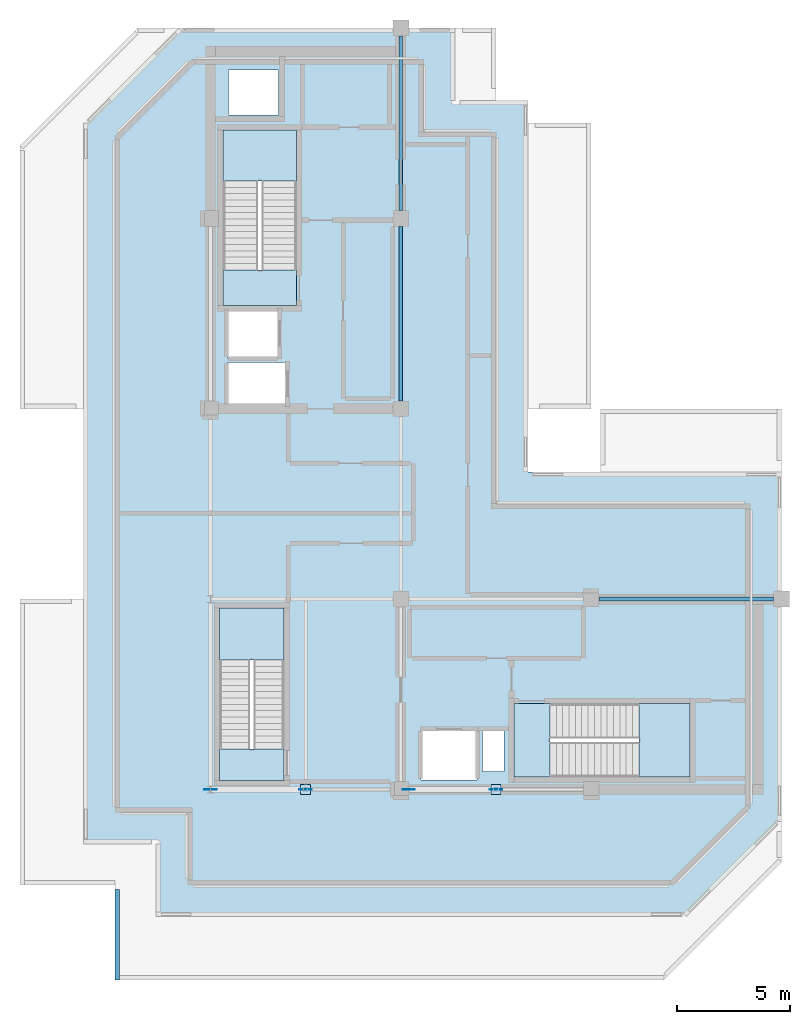
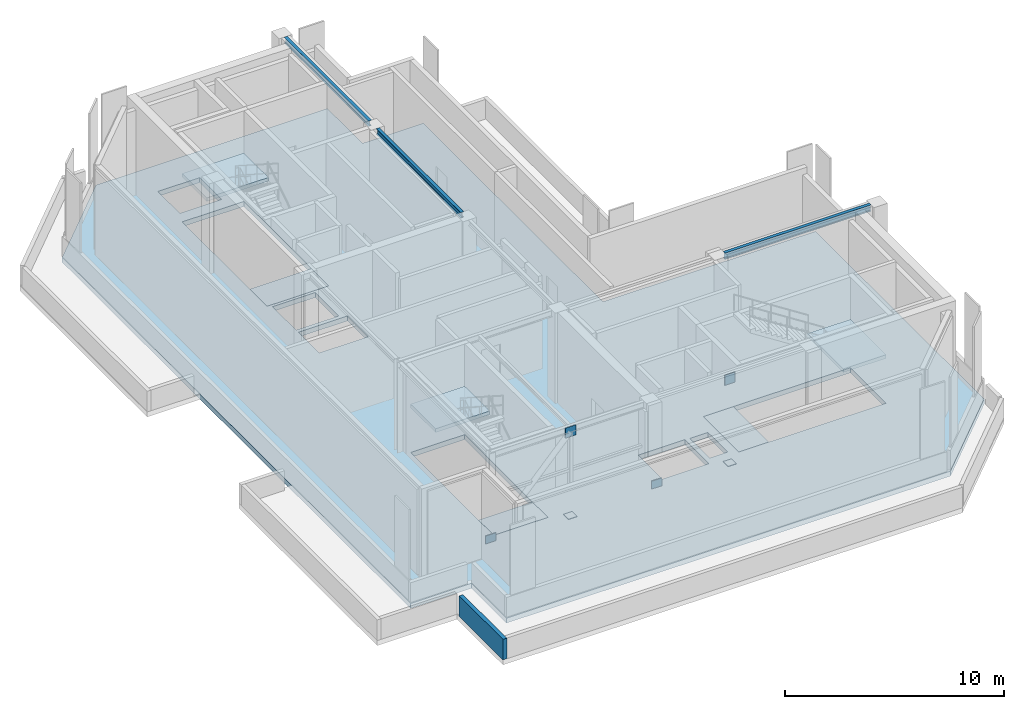
# One storey, part 3 of 9: 7 slabs, 6 plates, 3 beams, 1 wall, 3 elements without a shape of their own.
"""IFC4 building model written with IfcOpenShell, lengths in metres."""

from ifc_helpers import new_model, si_unit, direction, frame, frame_2d, origin, origin_2d, place, context, subcontext, project, spatial, polyline, rectangle, i_section, outline, extrude, material, layer, layer_set, material_profile, profile_set, type_object, element, aggregate, save


model = new_model("IFC4")

# Units and contexts
model_context = context("Model", 3, precision=1e-05, world=origin(), true_north=direction((0.0, 1.0)))
body_context = subcontext(model_context, "Body", "Model", "MODEL_VIEW")
ifc_project = project(units=[si_unit("LENGTHUNIT", "METRE"), si_unit("AREAUNIT", "SQUARE_METRE"), si_unit("VOLUMEUNIT", "CUBIC_METRE"), si_unit("PLANEANGLEUNIT", "RADIAN"), si_unit("MASSUNIT", "GRAM", prefix="KILO")], contexts=[model_context])

# Site, building, storey
site_placement = place(None, origin())
site = spatial("IfcSite", under=ifc_project, at=site_placement, CompositionType="ELEMENT")
building_placement = place(site_placement, origin())
building = spatial("IfcBuilding", under=site, at=building_placement, Name="Nerrivon Quay Data Exchange", CompositionType="ELEMENT")
storey_placement = place(building_placement, frame((0.0, 0.0, 333.0)))
storey = spatial("IfcBuildingStorey", under=building, at=storey_placement, Name="L79", CompositionType="ELEMENT", Elevation=333.0)

# Beams
ifc_material_1 = material(Name="Steel Grade 350", Category="steel")
ifc_material_profile_1 = material_profile(ifc_material_1, i_section(OverallWidth=0.172119140625, OverallDepth=0.35888671875, WebThickness=0.008056640625, FlangeThickness=0.012939453125, FilletRadius=0.011474609375, at=origin_2d()), Name="360UB56.7")
ifc_profile_set_1 = profile_set([ifc_material_profile_1], Name="Steel Grade 350")
beam_type_1 = type_object("IfcBeamType", Name="BM-J3-360UB57", PredefinedType="JOIST", material=ifc_profile_set_1)
beam_placement = place(storey_placement, frame((25.550048828125, 16.800048828125, 4.87060546875), z_axis=(1.0, 0.0, 0.0), x_axis=(0.0, 1.0, 0.0)))
element("IfcBeam", 1, at=beam_placement, inside=storey, type_object=beam_type_1, Name="L79 EW Girder Y=16.8 (25.2..33.6)", PredefinedType="JOIST", context=body_context, shape_type="SweptSolid", body=[
    extrude(i_section(OverallWidth=0.172119140625, OverallDepth=0.35888671875, WebThickness=0.008056640625, FlangeThickness=0.012939453125, FilletRadius=0.011474609375, at=origin_2d()), origin(), (0.0, 0.0, 1.0), 7.699951171875),
])
ifc_material_profile_2 = material_profile(ifc_material_1, i_section(OverallWidth=0.166015625, OverallDepth=0.306884765625, WebThickness=0.006591796875, FlangeThickness=0.01171875, FilletRadius=0.011474609375, at=origin_2d()), Name="310UB46.2")
ifc_profile_set_2 = profile_set([ifc_material_profile_2], Name="Steel Grade 350")
beam_type_2 = type_object("IfcBeamType", Name="BM-J5-310UB46", PredefinedType="JOIST", material=ifc_profile_set_2)
for number, where, z_axis, x_axis, name in (
    (2, (16.800048828125, 25.550048828125, 4.896484375), (0.0, 1.0, 0.0), (-1.0, 0.0, 0.0), "L79 NS Girder X=16.8 (25.2..33.6)"),
    (3, (16.800048828125, 33.949951171875, 4.896484375), (0.0, 1.0, 0.0), (-1.0, 0.0, 0.0), "L79 NS Girder X=16.8 (33.6..42.0)"),
):
    element("IfcBeam", number, at=place(storey_placement, frame(where, z_axis=z_axis, x_axis=x_axis)), inside=storey, type_object=beam_type_2, Name=name, PredefinedType="JOIST", context=body_context, shape_type="SweptSolid", body=[
        extrude(i_section(OverallWidth=0.166015625, OverallDepth=0.306884765625, WebThickness=0.006591796875, FlangeThickness=0.01171875, FilletRadius=0.011474609375, at=origin_2d()), origin(), (0.0, 0.0, 1.0), 7.699951171875),
    ])

# Plates
ifc_layer_1 = layer(ifc_material_1, 0.02490234375)
ifc_layer_set_1 = layer_set([ifc_layer_1], Name="Steel Grade 350")
plate_type_1 = type_object("IfcPlateType", Name="PLT-CAP25", PredefinedType="SHEET", material=ifc_layer_set_1)
for number, where, z_axis, x_axis, name in (
    (4, (12.60009765625, 8.39990234375, 0.0), (0.0, 0.0, 1.0), (1.0, 0.0, 0.0), "L79 Turbine Post Base Plate SL1-1"),
    (5, (21.0, 8.39990234375, 0.0), (0.0, 0.0, 1.0), (1.0, 0.0, 0.0), "L79 Turbine Post Base Plate SL1-2"),
):
    element("IfcPlate", number, at=place(storey_placement, frame(where, z_axis=z_axis, x_axis=x_axis)), inside=storey, type_object=plate_type_1, Name=name, PredefinedType="SHEET", context=body_context, shape_type="SweptSolid", body=[
        extrude(rectangle(XDim=0.449951171875, YDim=0.449951171875, at=origin_2d()), origin(), (0.0, 0.0, 1.0), 0.02490234375),
    ])
ifc_layer_2 = layer(ifc_material_1, 0.028076171875)
ifc_layer_set_2 = layer_set([ifc_layer_2], Name="Steel Grade 350")
plate_type_2 = type_object("IfcPlateType", Name="PLT-TS01", PredefinedType="SHEET", material=ifc_layer_set_2)
for number, where, z_axis, x_axis, name in (
    (6, (8.406005859375, 8.39990234375, -0.115234375), (0.0, 0.0, 1.0), (1.0, 0.0, 0.0), "L79 node plate 102"),
    (7, (12.60009765625, 8.39990234375, 4.42578125), (0.0, 0.0, 1.0), (1.0, 0.0, 0.0), "L79 node plate 103"),
    (8, (17.14990234375, 8.39990234375, -0.115234375), (0.0, 0.0, 1.0), (1.0, 0.0, 0.0), "L79 node plate 104"),
    (9, (21.0, 8.39990234375, 4.42578125), (0.0, 0.0, 1.0), (1.0, 0.0, 0.0), "L79 node plate 105"),
):
    element("IfcPlate", number, at=place(storey_placement, frame(where, z_axis=z_axis, x_axis=x_axis)), inside=storey, type_object=plate_type_2, Name=name, PredefinedType="SHEET", context=body_context, shape_type="SweptSolid", body=[
        extrude(rectangle(XDim=0.550048828125, YDim=0.035888671875, at=origin_2d()), origin(), (0.0, 0.0, 1.0), 0.550048828125),
    ])

# Stair, slab
ifc_material_2 = material(Name="Concrete N50 (50 MPa)", Category="concrete")
stair_type = type_object("IfcStairType", Name="STAIR-DOG-54", PredefinedType="HALF_TURN_STAIR", material=ifc_material_2)
stair_1_placement = place(storey_placement, origin())
stair_1 = element("IfcStair", 10, at=stair_1_placement, inside=storey, type_object=stair_type, Name="L79 West Core Fire Stair ST01", PredefinedType="HALF_TURN_STAIR")
ifc_layer_3 = layer(ifc_material_2, 0.199951171875)
ifc_layer_set_3 = layer_set([ifc_layer_3], Name="Concrete N50 (50 MPa)")
slab_type_1 = type_object("IfcSlabType", Name="SLB-LAND-200", PredefinedType="LANDING", material=ifc_layer_set_3)
slab_1_placement = place(storey_placement, frame((0.0, 0.0, 2.5)))
slab_1 = element("IfcSlab", 11, at=slab_1_placement, type_object=slab_type_1, Name="ST01 landing 1", PredefinedType="LANDING", context=body_context, shape_type="SweptSolid", body=[
    extrude(outline(polyline([(12.199951171875, 35.25), (12.199951171875, 37.5), (8.949951171875, 37.5), (8.949951171875, 35.25), (12.199951171875, 35.25)])), origin(), (0.0, 0.0, 1.0), 0.199951171875),
])
aggregate(stair_1, [slab_1])

# Slab
slab_2_placement = place(storey_placement, frame((0.0, 0.0, -0.199951171875)))
element("IfcSlab", 12, at=slab_2_placement, inside=storey, type_object=slab_type_1, Name="L79 ST01 floor landing", PredefinedType="LANDING", context=body_context, shape_type="SweptSolid", body=[
    extrude(outline(polyline([(12.199951171875, 29.75), (12.199951171875, 31.330078125), (8.949951171875, 31.330078125), (8.949951171875, 29.75), (12.199951171875, 29.75)])), origin(), (0.0, 0.0, 1.0), 0.199951171875),
])

# Stair, slab
stair_2_placement = place(storey_placement, origin())
stair_2 = element("IfcStair", 13, at=stair_2_placement, inside=storey, type_object=stair_type, Name="L79 East Core Fire Stair ST02", PredefinedType="HALF_TURN_STAIR")
slab_3_placement = place(storey_placement, frame((0.0, 0.0, 2.5)))
slab_3 = element("IfcSlab", 14, at=slab_3_placement, type_object=slab_type_1, Name="ST02 landing 1", PredefinedType="LANDING", context=body_context, shape_type="SweptSolid", body=[
    extrude(outline(polyline([(27.300048828125, 8.949951171875), (29.550048828125, 8.949951171875), (29.550048828125, 12.199951171875), (27.300048828125, 12.199951171875), (27.300048828125, 8.949951171875)])), origin(), (0.0, 0.0, 1.0), 0.199951171875),
])
aggregate(stair_2, [slab_3])

# Slab
slab_4_placement = place(storey_placement, frame((0.0, 0.0, -0.199951171875)))
element("IfcSlab", 15, at=slab_4_placement, inside=storey, type_object=slab_type_1, Name="L79 ST02 floor landing", PredefinedType="LANDING", context=body_context, shape_type="SweptSolid", body=[
    extrude(outline(polyline([(21.800048828125, 8.949951171875), (23.3798828125, 8.949951171875), (23.3798828125, 12.199951171875), (21.800048828125, 12.199951171875), (21.800048828125, 8.949951171875)])), origin(), (0.0, 0.0, 1.0), 0.199951171875),
])

# Stair, slab
stair_3_placement = place(storey_placement, origin())
stair_3 = element("IfcStair", 16, at=stair_3_placement, inside=storey, type_object=stair_type, Name="L79 Crown Maintenance Stair ST08", PredefinedType="HALF_TURN_STAIR")
slab_5_placement = place(storey_placement, frame((0.0, 0.0, 2.5)))
slab_5 = element("IfcSlab", 17, at=slab_5_placement, type_object=slab_type_1, Name="ST08 landing 1", PredefinedType="LANDING", context=body_context, shape_type="SweptSolid", body=[
    extrude(outline(polyline([(11.64990234375, 14.1201171875), (11.64990234375, 16.39990234375), (8.800048828125, 16.39990234375), (8.800048828125, 14.1201171875), (11.64990234375, 14.1201171875)])), origin(), (0.0, 0.0, 1.0), 0.199951171875),
])
aggregate(stair_3, [slab_5])

# Slabs
slab_6_placement = place(storey_placement, frame((0.0, 0.0, -0.199951171875)))
element("IfcSlab", 18, at=slab_6_placement, inside=storey, type_object=slab_type_1, Name="L79 ST08 floor landing", PredefinedType="LANDING", context=body_context, shape_type="SweptSolid", body=[
    extrude(outline(polyline([(11.64990234375, 8.800048828125), (11.64990234375, 10.199951171875), (8.800048828125, 10.199951171875), (8.800048828125, 8.800048828125), (11.64990234375, 8.800048828125)])), origin(), (0.0, 0.0, 1.0), 0.199951171875),
])
ifc_layer_4 = layer(ifc_material_2, 0.27490234375)
ifc_layer_set_4 = layer_set([ifc_layer_4], Name="Concrete N50 (50 MPa)")
slab_type_2 = type_object("IfcSlabType", Name="SLB-TOW-275", PredefinedType="FLOOR", material=ifc_layer_set_4)
slab_7_placement = place(storey_placement, frame((0.0, 0.0, -0.27490234375)))
element("IfcSlab", 19, at=slab_7_placement, inside=storey, type_object=slab_type_2, Name="L79 Primary Structural Slab", PredefinedType="FLOOR", context=body_context, shape_type="SweptSolid", body=[
    extrude(outline(polyline([(33.60009765625, 22.39990234375), (22.39990234375, 22.39990234375), (22.39990234375, 38.800048828125), (19.199951171875, 38.800048828125), (19.199951171875, 42.0), (7.0, 42.0), (2.800048828125, 37.800048828125), (2.800048828125, 6.0), (6.0, 6.0), (6.0, 2.800048828125), (29.39990234375, 2.800048828125), (33.60009765625, 7.0), (33.60009765625, 22.39990234375)]), holes=[polyline([(8.949951171875, 29.75), (8.949951171875, 37.5), (12.199951171875, 37.5), (12.199951171875, 29.75), (8.949951171875, 29.75)]), polyline([(21.800048828125, 12.199951171875), (29.550048828125, 12.199951171875), (29.550048828125, 8.949951171875), (21.800048828125, 8.949951171875), (21.800048828125, 12.199951171875)]), polyline([(8.800048828125, 8.800048828125), (8.800048828125, 16.39990234375), (11.64990234375, 16.39990234375), (11.64990234375, 8.800048828125), (8.800048828125, 8.800048828125)]), polyline([(21.35009765625, 9.199951171875), (20.39990234375, 9.199951171875), (20.39990234375, 11.0), (21.35009765625, 11.0), (21.35009765625, 9.199951171875)]), polyline([(20.14990234375, 8.830078125), (17.699951171875, 8.830078125), (17.699951171875, 11.030029296875), (20.14990234375, 11.030029296875), (20.14990234375, 8.830078125)]), polyline([(11.75, 25.35009765625), (9.14990234375, 25.35009765625), (9.14990234375, 27.25), (11.75, 27.25), (11.75, 25.35009765625)]), polyline([(9.14990234375, 27.449951171875), (9.14990234375, 29.60009765625), (11.39990234375, 29.60009765625), (11.39990234375, 27.449951171875), (9.14990234375, 27.449951171875)]), polyline([(9.199951171875, 38.14990234375), (9.199951171875, 40.14990234375), (11.39990234375, 40.14990234375), (11.39990234375, 38.14990234375), (9.199951171875, 38.14990234375)])]), origin(), (0.0, 0.0, 1.0), 0.27490234375),
])

# Wall
ifc_material_3 = material(Name="Precast concrete N50 (50 MPa)", Category="concrete")
ifc_layer_5 = layer(ifc_material_3, 0.199951171875)
ifc_layer_set_5 = layer_set([ifc_layer_5], Name="Precast concrete N50 (50 MPa)")
wall_type = type_object("IfcWallType", Name="PAR-RC-1", PredefinedType="PARAPET", material=ifc_layer_set_5)
wall_placement = place(storey_placement, frame((4.300048828125, 4.0, 0.0), z_axis=(0.0, 0.0, 1.0), x_axis=(0.0, -1.0, 0.0)))
element("IfcWall", 20, at=wall_placement, inside=storey, type_object=wall_type, Name="L79 Stepped Crown Parapet 1.6", PredefinedType="PARAPET", context=body_context, shape_type="SweptSolid", body=[
    extrude(rectangle(XDim=4.0, YDim=0.199951171875, at=frame_2d((2.0, 0.0))), origin(), (0.0, 0.0, 1.0), 1.14990234375),
])

save(model, "model.ifc")
